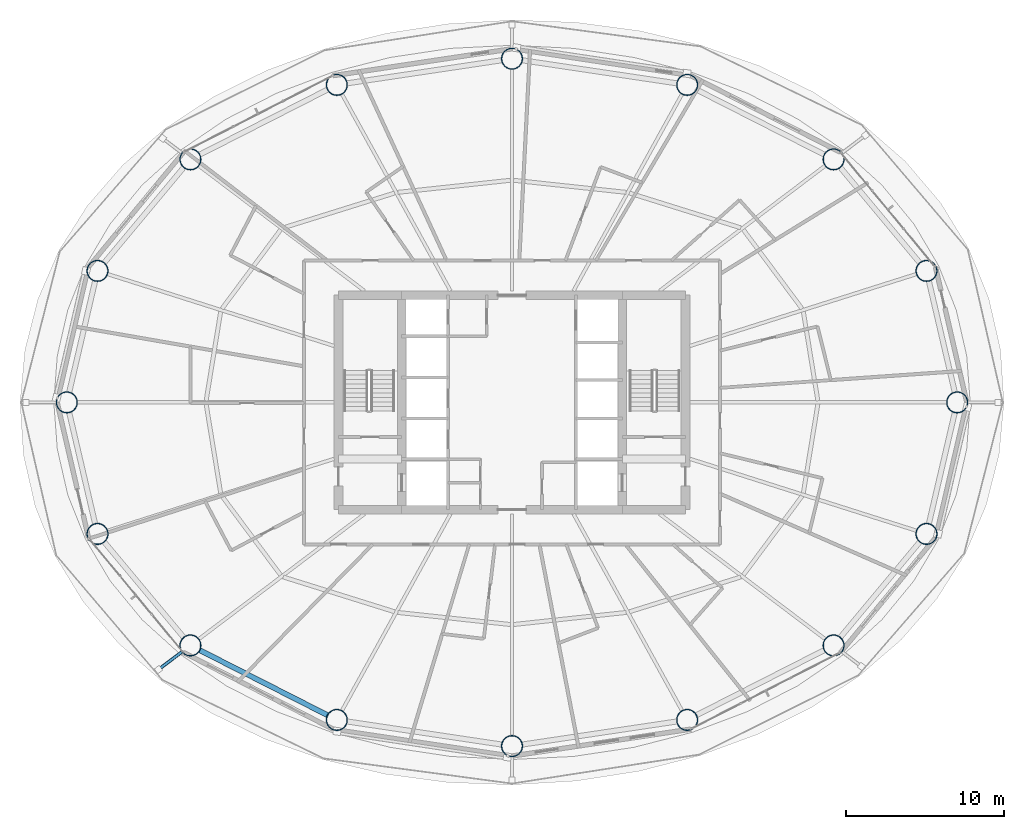
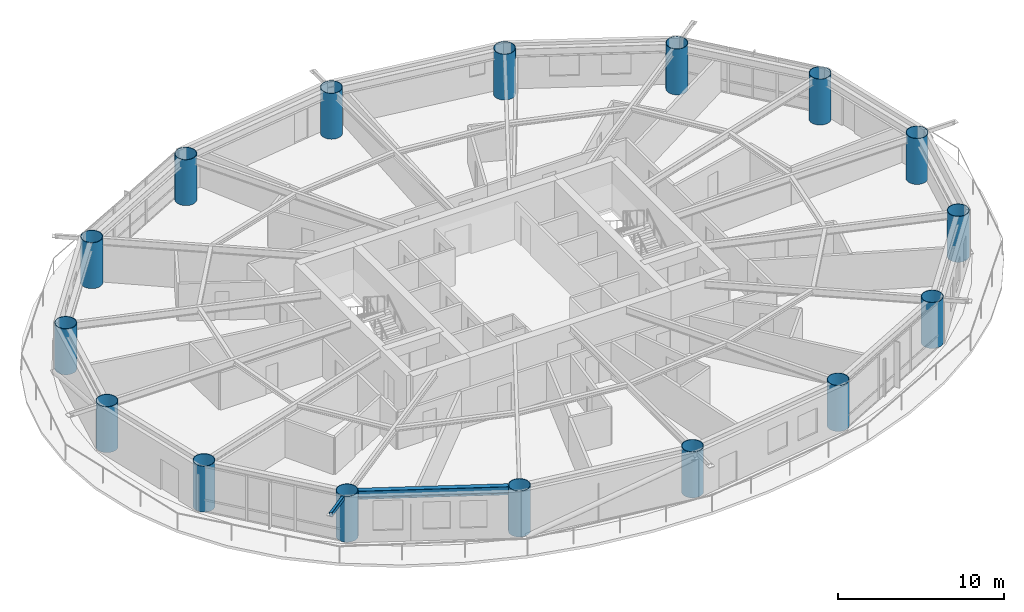
# One storey, part 1 of 24: 16 columns, 1 beam, 1 member.
"""IFC4 building model written with IfcOpenShell, lengths in metres."""

from ifc_helpers import new_model, si_unit, direction, frame, origin, origin_2d, place, context, subcontext, project, spatial, hollow_rectangle, hollow_circle, i_section, extrude, material, material_profile, profile_set, type_object, element, save


model = new_model("IFC4")

# Units and contexts
model_context = context("Model", 3, precision=1e-05, world=origin(), true_north=direction((0.0, 1.0)))
body_context = subcontext(model_context, "Body", "Model", "MODEL_VIEW")
ifc_project = project(units=[si_unit("LENGTHUNIT", "METRE"), si_unit("AREAUNIT", "SQUARE_METRE"), si_unit("VOLUMEUNIT", "CUBIC_METRE"), si_unit("PLANEANGLEUNIT", "RADIAN"), si_unit("MASSUNIT", "GRAM", prefix="KILO")], contexts=[model_context])

# Site, building, storey
site_placement = place(None, origin())
site = spatial("IfcSite", under=ifc_project, at=site_placement, CompositionType="ELEMENT")
building_placement = place(site_placement, origin())
building = spatial("IfcBuilding", under=site, at=building_placement, Name="Sarneth Arch Tower", CompositionType="ELEMENT")
storey_placement = place(building_placement, frame((0.0, 0.0, 91.199951171875)))
storey = spatial("IfcBuildingStorey", under=building, at=storey_placement, Name="L22", CompositionType="ELEMENT", Elevation=91.199951171875)

# Columns
ifc_material_1 = material(Name="Steel S355", Category="steel")
ifc_material_profile_1 = material_profile(ifc_material_1, hollow_circle(Radius=0.675048828125, WallThickness=0.035888671875, at=origin_2d()), Name="CHS1350x36")
ifc_profile_set_1 = profile_set([ifc_material_profile_1], Name="Steel S355")
column_type = type_object("IfcColumnType", Name="COL-MEGA-1350", PredefinedType="COLUMN", material=ifc_profile_set_1)
for number, where, z_axis, x_axis, name in (
    (1, (76.236572265625, 42.0, 0.0), (0.0, 0.0, 1.0), (1.0, 0.0, 0.0), "L22 Perimeter mega-column M01"),
    (2, (74.291259765625, 50.342529296875, 0.0), (0.0, 0.0, 1.0), (1.0, 0.0, 0.0), "L22 Perimeter mega-column M02"),
    (3, (68.397705078125, 57.4150390625, 0.0), (0.0, 0.0, 1.0), (1.0, 0.0, 0.0), "L22 Perimeter mega-column M03"),
    (4, (59.1103515625, 62.140625, 0.0), (0.0, 0.0, 1.0), (1.0, 0.0, 0.0), "L22 Perimeter mega-column M04"),
    (5, (48.0, 63.800048828125, 0.0), (0.0, 0.0, 1.0), (1.0, 0.0, 0.0), "L22 Perimeter mega-column M05"),
    (6, (36.8896484375, 62.140625, 0.0), (0.0, 0.0, 1.0), (1.0, 0.0, 0.0), "L22 Perimeter mega-column M06"),
    (7, (27.602294921875, 57.4150390625, 0.0), (0.0, 0.0, 1.0), (1.0, 0.0, 0.0), "L22 Perimeter mega-column M07"),
    (8, (21.708740234375, 50.342529296875, 0.0), (0.0, 0.0, 1.0), (1.0, 0.0, 0.0), "L22 Perimeter mega-column M08"),
    (9, (19.763427734375, 42.0, 0.0), (0.0, 0.0, 1.0), (1.0, 0.0, 0.0), "L22 Perimeter mega-column M09"),
    (10, (21.708740234375, 33.657470703125, 0.0), (0.0, 0.0, 1.0), (1.0, 0.0, 0.0), "L22 Perimeter mega-column M10"),
    (11, (27.602294921875, 26.5849609375, 0.0), (0.0, 0.0, 1.0), (1.0, 0.0, 0.0), "L22 Perimeter mega-column M11"),
    (12, (36.8896484375, 21.859375, 0.0), (0.0, 0.0, 1.0), (1.0, 0.0, 0.0), "L22 Perimeter mega-column M12"),
    (13, (48.0, 20.199951171875, 0.0), (0.0, 0.0, 1.0), (1.0, 0.0, 0.0), "L22 Perimeter mega-column M13"),
    (14, (59.1103515625, 21.859375, 0.0), (0.0, 0.0, 1.0), (1.0, 0.0, 0.0), "L22 Perimeter mega-column M14"),
    (15, (68.397705078125, 26.5849609375, 0.0), (0.0, 0.0, 1.0), (1.0, 0.0, 0.0), "L22 Perimeter mega-column M15"),
    (16, (74.291259765625, 33.657470703125, 0.0), (0.0, 0.0, 1.0), (1.0, 0.0, 0.0), "L22 Perimeter mega-column M16"),
):
    element("IfcColumn", number, at=place(storey_placement, frame(where, z_axis=z_axis, x_axis=x_axis)), inside=storey, type_object=column_type, Name=name, PredefinedType="COLUMN", context=body_context, shape_type="SweptSolid", body=[
        extrude(hollow_circle(Radius=0.675048828125, WallThickness=0.035888671875, at=origin_2d()), origin(), (0.0, 0.0, 1.0), 3.380126953125),
    ])

# Beam
ifc_material_2 = material(Name="Steel S355", Category="steel")
ifc_material_profile_2 = material_profile(ifc_material_2, i_section(OverallWidth=0.323974609375, OverallDepth=0.611083984375, WebThickness=0.0126953125, FlangeThickness=0.01904296875, FilletRadius=0.01904296875, at=origin_2d()), Name="W610x155")
ifc_profile_set_2 = profile_set([ifc_material_profile_2], Name="Steel S355")
beam_type = type_object("IfcBeamType", Name="BM-SPAN-610B", PredefinedType="SPANDREL", material=ifc_profile_set_2)
beam_placement = place(storey_placement, frame((28.203857421875, 26.279052734375, 3.074462890625), z_axis=(0.891255891792, -0.453500755619, 0.0), x_axis=(0.453500755619, 0.891255891792, 0.0)))
element("IfcBeam", 17, at=beam_placement, inside=storey, type_object=beam_type, Name="L22 Perimeter spandrel beam 11", PredefinedType="SPANDREL", context=body_context, shape_type="SweptSolid", body=[
    extrude(i_section(OverallWidth=0.323974609375, OverallDepth=0.611083984375, WebThickness=0.0126953125, FlangeThickness=0.01904296875, FilletRadius=0.01904296875, at=origin_2d()), origin(), (0.0, 0.0, 1.0), 9.070556640625),
])

# Member
ifc_material_3 = material(Name="Steel S355", Category="steel")
ifc_material_profile_3 = material_profile(ifc_material_3, hollow_rectangle(XDim=0.199951171875, YDim=0.300048828125, WallThickness=0.012451171875, InnerFilletRadius=0.018798828125, OuterFilletRadius=0.03125, at=origin_2d()), Name="RHS300x200x12.5")
ifc_profile_set_3 = profile_set([ifc_material_profile_3], Name="Steel S355")
member_type = type_object("IfcMemberType", Name="MEM-CANT-STRUT", PredefinedType="STRUT", material=ifc_profile_set_3)
member_placement = place(storey_placement, frame((27.063720703125, 26.177978515625, 3.219970703125), z_axis=(-0.797807041251, -0.602912866781, 0.0), x_axis=(0.602912866781, -0.797807041251, 0.0)))
element("IfcMember", 18, at=member_placement, inside=storey, type_object=member_type, Name="L22 Balcony cantilever bracket 11", PredefinedType="STRUT", context=body_context, shape_type="SweptSolid", body=[
    extrude(hollow_rectangle(XDim=0.199951171875, YDim=0.300048828125, WallThickness=0.012451171875, InnerFilletRadius=0.018798828125, OuterFilletRadius=0.03125, at=origin_2d()), origin(), (0.0, 0.0, 1.0), 1.861572265625),
])

save(model, "model.ifc")
